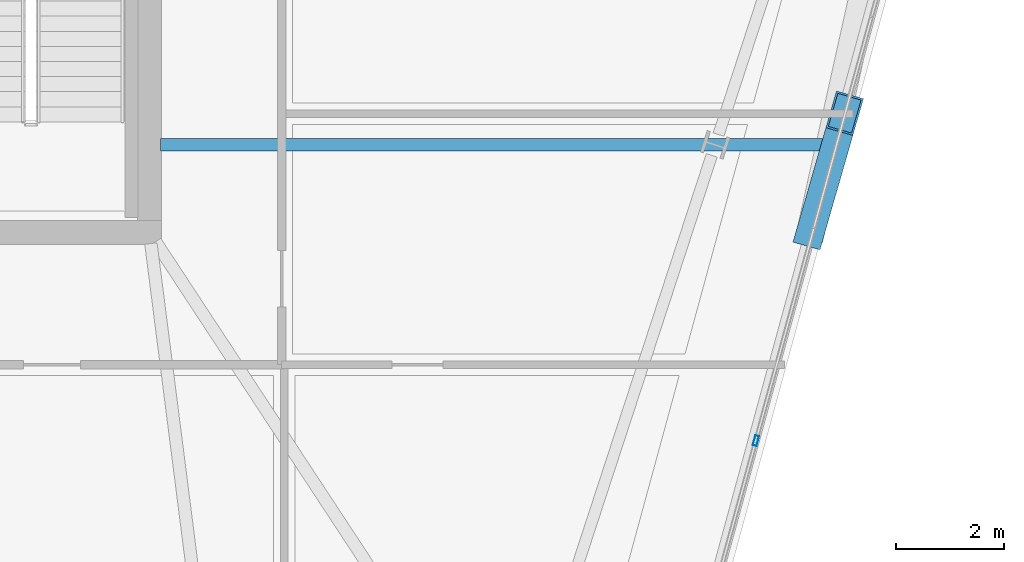
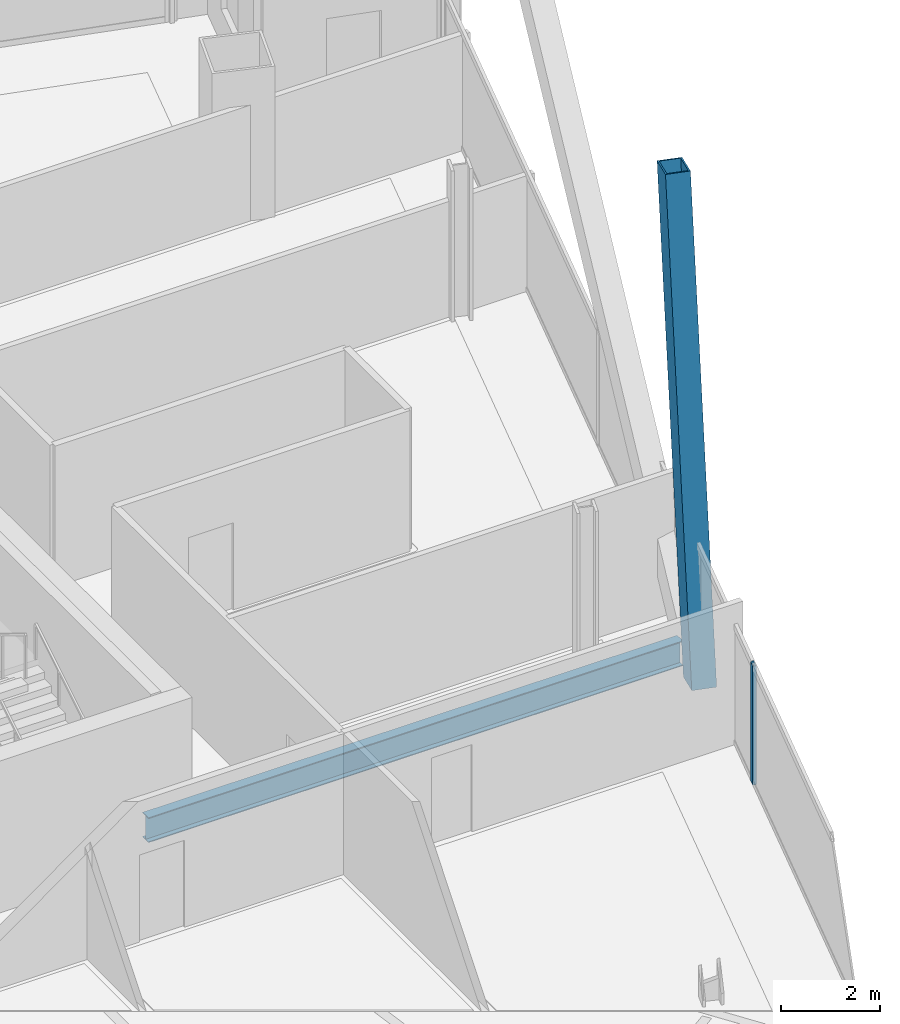
# One storey, part 9 of 26: 2 members, 1 beam, 1 element without a shape of its own.
"""IFC4 building model written with IfcOpenShell, lengths in metres."""

from ifc_helpers import new_model, si_unit, direction, frame, origin, origin_2d, place, context, subcontext, project, spatial, hollow_rectangle, i_section, extrude, material, material_profile, profile_set, type_object, element, aggregate, save


model = new_model("IFC4")

# Units and contexts
model_context = context("Model", 3, precision=1e-05, world=origin(), true_north=direction((0.0, 1.0)))
body_context = subcontext(model_context, "Body", "Model", "MODEL_VIEW")
ifc_project = project(units=[si_unit("LENGTHUNIT", "METRE"), si_unit("AREAUNIT", "SQUARE_METRE"), si_unit("VOLUMEUNIT", "CUBIC_METRE"), si_unit("PLANEANGLEUNIT", "RADIAN"), si_unit("MASSUNIT", "GRAM", prefix="KILO")], contexts=[model_context])

# Site, building, storey
site_placement = place(None, origin())
site = spatial("IfcSite", under=ifc_project, at=site_placement, CompositionType="ELEMENT")
building_placement = place(site_placement, origin())
building = spatial("IfcBuilding", under=site, at=building_placement, Name="Haldenkirk Collegiate Tower", CompositionType="ELEMENT")
storey_placement = place(building_placement, frame((0.0, 0.0, 278.699951171875)))
storey = spatial("IfcBuildingStorey", under=building, at=storey_placement, Name="L70", CompositionType="ELEMENT", Elevation=278.699951171875)

# Beam
ifc_material_1 = material(Name="Steel ASTM A992 Grade 50", Category="steel")
ifc_material_profile_1 = material_profile(ifc_material_1, i_section(OverallWidth=0.22998046875, OverallDepth=0.616943359375, WebThickness=0.01318359375, FlangeThickness=0.022216796875, at=origin_2d()), Name="W24X94")
ifc_profile_set_1 = profile_set([ifc_material_profile_1], Name="Steel ASTM A992 Grade 50")
beam_type = type_object("IfcBeamType", Name="BM-GIRDER-W24X94", PredefinedType="BEAM", material=ifc_profile_set_1)
beam_placement = place(storey_placement, frame((57.69189453125, 19.624267578125, -0.578369140625), z_axis=(-1.0, 0.0, 0.0), x_axis=(0.0, -1.0, 0.0)))
element("IfcBeam", 1, at=beam_placement, inside=storey, type_object=beam_type, Name="L70 primary floor girder 06", PredefinedType="BEAM", context=body_context, shape_type="SweptSolid", body=[
    extrude(i_section(OverallWidth=0.22998046875, OverallDepth=0.616943359375, WebThickness=0.01318359375, FlangeThickness=0.022216796875, at=origin_2d()), origin(), (0.0, 0.0, 1.0), 12.48681640625),
])

# Curtain wall, member
ifc_material_2 = material(Name="Anodised architectural bronze aluminium", Category="aluminium")
curtain_wall_type = type_object("IfcCurtainWallType", Name="CW-SYS2-CONCAVE", PredefinedType="USERDEFINED", material=ifc_material_2)
curtain_wall_placement = place(storey_placement, origin())
curtain_wall = element("IfcCurtainWall", 2, at=curtain_wall_placement, inside=storey, type_object=curtain_wall_type, Name="L70 South concave recessed bronze-anodised curtain wall", ObjectType="UNITISED CURTAIN WALL", PredefinedType="USERDEFINED")
ifc_material_profile_2 = material_profile(ifc_material_2, hollow_rectangle(XDim=0.074951171875, YDim=0.18994140625, WallThickness=0.0048828125, at=origin_2d()), Name="CW-MUL-02")
ifc_profile_set_2 = profile_set([ifc_material_profile_2], Name="Anodised architectural bronze aluminium")
member_type_1 = type_object("IfcMemberType", Name="CW-MUL-02", PredefinedType="MULLION", material=ifc_profile_set_2)
member_1_placement = place(storey_placement, frame((56.23876953125, 14.142333984375, 0.0), z_axis=(0.0, 0.0, 1.0), x_axis=(0.964786957297, -0.263032558878, 0.0)))
member_1 = element("IfcMember", 3, at=member_1_placement, type_object=member_type_1, Name="CW-02 mullion 3", PredefinedType="MULLION", context=body_context, shape_type="SweptSolid", body=[
    extrude(hollow_rectangle(XDim=0.074951171875, YDim=0.18994140625, WallThickness=0.0048828125, at=origin_2d()), origin(), (0.0, 0.0, 1.0), 2.93798828125),
])
aggregate(curtain_wall, [member_1])

# Member
ifc_material_3 = material(Name="Steel ASTM A572 Grade 50", Category="steel")
ifc_material_profile_3 = material_profile(ifc_material_3, hollow_rectangle(XDim=0.52001953125, YDim=0.719970703125, WallThickness=0.035888671875, at=origin_2d()), Name="BOX720X520X36")
ifc_profile_set_3 = profile_set([ifc_material_profile_3], Name="Steel ASTM A572 Grade 50")
member_type_2 = type_object("IfcMemberType", Name="MBR-MEGABRACE-BOX720X520X36", PredefinedType="BRACE", material=ifc_profile_set_3)
member_2_placement = place(storey_placement, frame((57.27392578125, 18.091796875, -0.280029296875), z_axis=(0.053197111207, 0.184912136353, 0.981314205129), x_axis=(-0.961021162026, 0.276474820079, 0.0)))
element("IfcMember", 4, at=member_2_placement, inside=storey, type_object=member_type_2, Name="Perimeter Mega Brace Z5 L70-L72 SL", PredefinedType="BRACE", context=body_context, shape_type="SweptSolid", body=[
    extrude(hollow_rectangle(XDim=0.52001953125, YDim=0.719970703125, WallThickness=0.035888671875, at=origin_2d()), origin(), (0.0, 0.0, 1.0), 11.464111328125),
])

save(model, "model.ifc")
